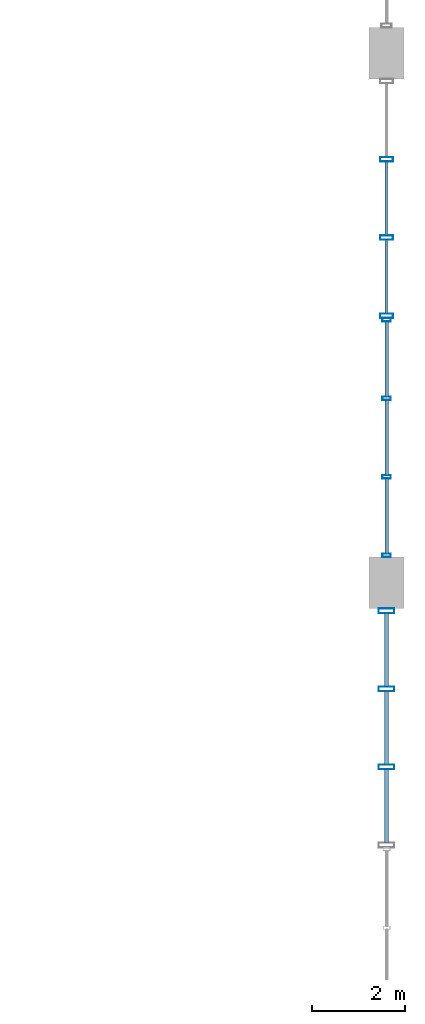
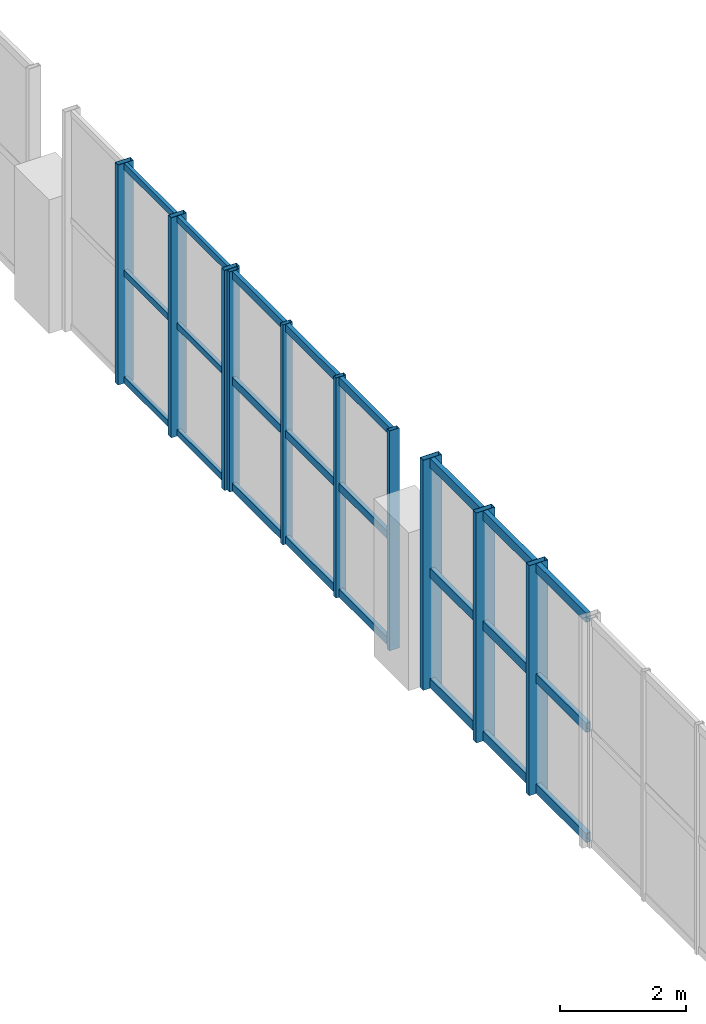
# One storey, part 46 of 80: 34 members, 3 elements without a shape of their own.
"""IFC4 building model written with IfcOpenShell, lengths in metres."""

from ifc_helpers import new_model, si_unit, direction, frame, origin, origin_2d, place, context, subcontext, project, spatial, hollow_rectangle, extrude, material, layer, layer_set, material_profile, profile_set, type_object, element, aggregate, save


model = new_model("IFC4")

# Units and contexts
model_context = context("Model", 3, precision=1e-05, world=origin(), true_north=direction((0.0, 1.0)))
body_context = subcontext(model_context, "Body", "Model", "MODEL_VIEW")
ifc_project = project(units=[si_unit("LENGTHUNIT", "METRE"), si_unit("AREAUNIT", "SQUARE_METRE"), si_unit("VOLUMEUNIT", "CUBIC_METRE"), si_unit("PLANEANGLEUNIT", "RADIAN"), si_unit("MASSUNIT", "GRAM", prefix="KILO"), si_unit("POWERUNIT", "WATT"), si_unit("THERMODYNAMICTEMPERATUREUNIT", "KELVIN")], contexts=[model_context])

# Site, building, storey
site_placement = place(None, origin())
site = spatial("IfcSite", under=ifc_project, at=site_placement, CompositionType="ELEMENT")
building_placement = place(site_placement, origin())
building = spatial("IfcBuilding", under=site, at=building_placement, Name="Kelmbourne Parkland Aquatics Centre", CompositionType="ELEMENT")
storey_placement = place(building_placement, frame((0.0, 0.0, 10.199951171875)))
storey = spatial("IfcBuildingStorey", under=building, at=storey_placement, Name="L02", CompositionType="ELEMENT", Elevation=10.199951171875)

# Curtain wall, members
ifc_material = material(Name="Thermally broken anodised aluminium framing", Category="aluminium")
ifc_layer_1 = layer(ifc_material, 0.179931640625)
ifc_layer_set_1 = layer_set([ifc_layer_1], Name="Thermally broken anodised aluminium framing")
curtain_wall_type_1 = type_object("IfcCurtainWallType", Name="CW-22", PredefinedType="NOTDEFINED", material=ifc_layer_set_1)
curtain_wall_1_placement = place(storey_placement, origin())
curtain_wall_1 = element("IfcCurtainWall", 1, at=curtain_wall_1_placement, inside=storey, type_object=curtain_wall_type_1, Name="Wave-hall clerestory curtain wall CW-L02-046", PredefinedType="NOTDEFINED")
ifc_material_profile_1 = material_profile(ifc_material, hollow_rectangle(XDim=0.074951171875, YDim=0.179931640625, WallThickness=0.00439453125, at=origin_2d()), Name="CW-M 75x180")
ifc_profile_set_1 = profile_set([ifc_material_profile_1], Name="Thermally broken anodised aluminium framing")
member_type_1 = type_object("IfcMemberType", Name="MB-MUL-2", PredefinedType="MULLION", material=ifc_profile_set_1)
member_1_placement = place(storey_placement, frame((175.199951171875, 46.989501953125, 0.0), z_axis=(0.0, 0.0, 1.0), x_axis=(0.0, 1.0, 0.0)))
member_1 = element("IfcMember", 2, at=member_1_placement, type_object=member_type_1, Name="CW-L02-046 mullion 0", PredefinedType="MULLION", context=body_context, shape_type="SweptSolid", body=[
    extrude(hollow_rectangle(XDim=0.074951171875, YDim=0.179931640625, WallThickness=0.00439453125, at=origin_2d()), origin(), (0.0, 0.0, 1.0), 4.258544921875),
])
member_2_placement = place(storey_placement, frame((175.199951171875, 48.680419921875, 0.0), z_axis=(0.0, 0.0, 1.0), x_axis=(0.0, 1.0, 0.0)))
member_2 = element("IfcMember", 3, at=member_2_placement, type_object=member_type_1, Name="CW-L02-046 mullion 1", PredefinedType="MULLION", context=body_context, shape_type="SweptSolid", body=[
    extrude(hollow_rectangle(XDim=0.074951171875, YDim=0.179931640625, WallThickness=0.00439453125, at=origin_2d()), origin(), (0.0, 0.0, 1.0), 4.258544921875),
])
member_3_placement = place(storey_placement, frame((175.199951171875, 50.37158203125, 0.0), z_axis=(0.0, 0.0, 1.0), x_axis=(0.0, 1.0, 0.0)))
member_3 = element("IfcMember", 4, at=member_3_placement, type_object=member_type_1, Name="CW-L02-046 mullion 2", PredefinedType="MULLION", context=body_context, shape_type="SweptSolid", body=[
    extrude(hollow_rectangle(XDim=0.074951171875, YDim=0.179931640625, WallThickness=0.00439453125, at=origin_2d()), origin(), (0.0, 0.0, 1.0), 4.258544921875),
])
member_4_placement = place(storey_placement, frame((175.199951171875, 52.0625, 0.0), z_axis=(0.0, 0.0, 1.0), x_axis=(0.0, 1.0, 0.0)))
member_4 = element("IfcMember", 5, at=member_4_placement, type_object=member_type_1, Name="CW-L02-046 mullion 3", PredefinedType="MULLION", context=body_context, shape_type="SweptSolid", body=[
    extrude(hollow_rectangle(XDim=0.074951171875, YDim=0.179931640625, WallThickness=0.00439453125, at=origin_2d()), origin(), (0.0, 0.0, 1.0), 4.258544921875),
])

ifc_layer_2 = layer(ifc_material, 0.179931640625)
ifc_layer_set_2 = layer_set([ifc_layer_2], Name="Thermally broken anodised aluminium framing")
curtain_wall_type_2 = type_object("IfcCurtainWallType", Name="CW-24", PredefinedType="NOTDEFINED", material=ifc_layer_set_2)
curtain_wall_2_placement = place(storey_placement, origin())
curtain_wall_2 = element("IfcCurtainWall", 6, at=curtain_wall_2_placement, inside=storey, type_object=curtain_wall_type_2, Name="Wave-hall clerestory curtain wall CW-L02-048", PredefinedType="NOTDEFINED")
ifc_material_profile_2 = material_profile(ifc_material, hollow_rectangle(XDim=0.094970703125, YDim=0.280029296875, WallThickness=0.005615234375, at=origin_2d()), Name="CW-M 95x280")
ifc_profile_set_2 = profile_set([ifc_material_profile_2], Name="Thermally broken anodised aluminium framing")
member_type_2 = type_object("IfcMemberType", Name="MB-MUL-4", PredefinedType="MULLION", material=ifc_profile_set_2)
member_5_placement = place(storey_placement, frame((175.199951171875, 52.1474609375, 0.0), z_axis=(0.0, 0.0, 1.0), x_axis=(0.0, 1.0, 0.0)))
member_5 = element("IfcMember", 7, at=member_5_placement, type_object=member_type_2, Name="CW-L02-048 mullion 0", PredefinedType="MULLION", context=body_context, shape_type="SweptSolid", body=[
    extrude(hollow_rectangle(XDim=0.094970703125, YDim=0.280029296875, WallThickness=0.005615234375, at=origin_2d()), origin(), (0.0, 0.0, 1.0), 4.258544921875),
])
member_6_placement = place(storey_placement, frame((175.199951171875, 53.831787109375, 0.0), z_axis=(0.0, 0.0, 1.0), x_axis=(0.0, 1.0, 0.0)))
member_6 = element("IfcMember", 8, at=member_6_placement, type_object=member_type_2, Name="CW-L02-048 mullion 1", PredefinedType="MULLION", context=body_context, shape_type="SweptSolid", body=[
    extrude(hollow_rectangle(XDim=0.094970703125, YDim=0.280029296875, WallThickness=0.005615234375, at=origin_2d()), origin(), (0.0, 0.0, 1.0), 4.258544921875),
])
member_7_placement = place(storey_placement, frame((175.199951171875, 55.51611328125, 0.0), z_axis=(0.0, 0.0, 1.0), x_axis=(0.0, 1.0, 0.0)))
member_7 = element("IfcMember", 9, at=member_7_placement, type_object=member_type_2, Name="CW-L02-048 mullion 2", PredefinedType="MULLION", context=body_context, shape_type="SweptSolid", body=[
    extrude(hollow_rectangle(XDim=0.094970703125, YDim=0.280029296875, WallThickness=0.005615234375, at=origin_2d()), origin(), (0.0, 0.0, 1.0), 4.258544921875),
])

ifc_layer_3 = layer(ifc_material, 0.179931640625)
ifc_layer_set_3 = layer_set([ifc_layer_3], Name="Thermally broken anodised aluminium framing")
curtain_wall_type_3 = type_object("IfcCurtainWallType", Name="CW-20", PredefinedType="NOTDEFINED", material=ifc_layer_set_3)
curtain_wall_3_placement = place(storey_placement, origin())
curtain_wall_3 = element("IfcCurtainWall", 10, at=curtain_wall_3_placement, inside=storey, type_object=curtain_wall_type_3, Name="Wave-hall clerestory curtain wall CW-L02-044", PredefinedType="NOTDEFINED")
ifc_material_profile_3 = material_profile(ifc_material, hollow_rectangle(XDim=0.10498046875, YDim=0.340087890625, WallThickness=0.006103515625, at=origin_2d()), Name="CW-M 105x340")
ifc_profile_set_3 = profile_set([ifc_material_profile_3], Name="Thermally broken anodised aluminium framing")
member_type_3 = type_object("IfcMemberType", Name="MB-MUL-5", PredefinedType="MULLION", material=ifc_profile_set_3)
member_8_placement = place(storey_placement, frame((175.199951171875, 42.43359375, 0.0), z_axis=(0.0, 0.0, 1.0), x_axis=(0.0, 1.0, 0.0)))
member_8 = element("IfcMember", 11, at=member_8_placement, type_object=member_type_3, Name="CW-L02-044 mullion 1", PredefinedType="MULLION", context=body_context, shape_type="SweptSolid", body=[
    extrude(hollow_rectangle(XDim=0.10498046875, YDim=0.340087890625, WallThickness=0.006103515625, at=origin_2d()), origin(), (0.0, 0.0, 1.0), 4.449951171875),
])
member_9_placement = place(storey_placement, frame((175.199951171875, 44.114501953125, 0.0), z_axis=(0.0, 0.0, 1.0), x_axis=(0.0, 1.0, 0.0)))
member_9 = element("IfcMember", 12, at=member_9_placement, type_object=member_type_3, Name="CW-L02-044 mullion 2", PredefinedType="MULLION", context=body_context, shape_type="SweptSolid", body=[
    extrude(hollow_rectangle(XDim=0.10498046875, YDim=0.340087890625, WallThickness=0.006103515625, at=origin_2d()), origin(), (0.0, 0.0, 1.0), 4.449951171875),
])
member_10_placement = place(storey_placement, frame((175.199951171875, 45.79541015625, 0.0), z_axis=(0.0, 0.0, 1.0), x_axis=(0.0, 1.0, 0.0)))
member_10 = element("IfcMember", 13, at=member_10_placement, type_object=member_type_3, Name="CW-L02-044 mullion 3", PredefinedType="MULLION", context=body_context, shape_type="SweptSolid", body=[
    extrude(hollow_rectangle(XDim=0.10498046875, YDim=0.340087890625, WallThickness=0.006103515625, at=origin_2d()), origin(), (0.0, 0.0, 1.0), 4.449951171875),
])

# Member
ifc_material_profile_4 = material_profile(ifc_material, hollow_rectangle(XDim=0.06494140625, YDim=0.1201171875, WallThickness=0.00341796875, at=origin_2d()), Name="CW-T 65x120")
ifc_profile_set_4 = profile_set([ifc_material_profile_4], Name="Thermally broken anodised aluminium framing")
member_type_4 = type_object("IfcMemberType", Name="MB-TRN-1", PredefinedType="USERDEFINED", material=ifc_profile_set_4)
member_11_placement = place(storey_placement, frame((175.199951171875, 52.19091796875, 0.06298828125), z_axis=(0.0, 1.0, 0.0), x_axis=(-1.0, 0.0, 0.0)))
member_11 = element("IfcMember", 14, at=member_11_placement, type_object=member_type_4, Name="CW-L02-048 transom 0-0", ObjectType="TRANSOM", PredefinedType="USERDEFINED", context=body_context, shape_type="SweptSolid", body=[
    extrude(hollow_rectangle(XDim=0.06494140625, YDim=0.1201171875, WallThickness=0.00341796875, at=origin_2d()), origin(), (0.0, 0.0, 1.0), 1.597412109375),
])

member_12_placement = place(storey_placement, frame((175.199951171875, 53.875244140625, 0.06298828125), z_axis=(0.0, 1.0, 0.0), x_axis=(-1.0, 0.0, 0.0)))
member_12 = element("IfcMember", 15, at=member_12_placement, type_object=member_type_4, Name="CW-L02-048 transom 0-1", ObjectType="TRANSOM", PredefinedType="USERDEFINED", context=body_context, shape_type="SweptSolid", body=[
    extrude(hollow_rectangle(XDim=0.06494140625, YDim=0.1201171875, WallThickness=0.00341796875, at=origin_2d()), origin(), (0.0, 0.0, 1.0), 1.597412109375),
])

member_13_placement = place(storey_placement, frame((175.199951171875, 52.19091796875, 2.129150390625), z_axis=(0.0, 1.0, 0.0), x_axis=(-1.0, 0.0, 0.0)))
member_13 = element("IfcMember", 16, at=member_13_placement, type_object=member_type_4, Name="CW-L02-048 transom 1-0", ObjectType="TRANSOM", PredefinedType="USERDEFINED", context=body_context, shape_type="SweptSolid", body=[
    extrude(hollow_rectangle(XDim=0.06494140625, YDim=0.1201171875, WallThickness=0.00341796875, at=origin_2d()), origin(), (0.0, 0.0, 1.0), 1.597412109375),
])

member_14_placement = place(storey_placement, frame((175.199951171875, 53.875244140625, 2.129150390625), z_axis=(0.0, 1.0, 0.0), x_axis=(-1.0, 0.0, 0.0)))
member_14 = element("IfcMember", 17, at=member_14_placement, type_object=member_type_4, Name="CW-L02-048 transom 1-1", ObjectType="TRANSOM", PredefinedType="USERDEFINED", context=body_context, shape_type="SweptSolid", body=[
    extrude(hollow_rectangle(XDim=0.06494140625, YDim=0.1201171875, WallThickness=0.00341796875, at=origin_2d()), origin(), (0.0, 0.0, 1.0), 1.597412109375),
])

member_15_placement = place(storey_placement, frame((175.199951171875, 52.19091796875, 4.195556640625), z_axis=(0.0, 1.0, 0.0), x_axis=(-1.0, 0.0, 0.0)))
member_15 = element("IfcMember", 18, at=member_15_placement, type_object=member_type_4, Name="CW-L02-048 transom 2-0", ObjectType="TRANSOM", PredefinedType="USERDEFINED", context=body_context, shape_type="SweptSolid", body=[
    extrude(hollow_rectangle(XDim=0.06494140625, YDim=0.1201171875, WallThickness=0.00341796875, at=origin_2d()), origin(), (0.0, 0.0, 1.0), 1.597412109375),
])

member_16_placement = place(storey_placement, frame((175.199951171875, 53.875244140625, 4.195556640625), z_axis=(0.0, 1.0, 0.0), x_axis=(-1.0, 0.0, 0.0)))
member_16 = element("IfcMember", 19, at=member_16_placement, type_object=member_type_4, Name="CW-L02-048 transom 2-1", ObjectType="TRANSOM", PredefinedType="USERDEFINED", context=body_context, shape_type="SweptSolid", body=[
    extrude(hollow_rectangle(XDim=0.06494140625, YDim=0.1201171875, WallThickness=0.00341796875, at=origin_2d()), origin(), (0.0, 0.0, 1.0), 1.597412109375),
])

aggregate(curtain_wall_2, [member_5, member_6, member_7, member_11, member_12, member_13, member_14, member_15, member_16])

ifc_material_profile_5 = material_profile(ifc_material, hollow_rectangle(XDim=0.074951171875, YDim=0.14990234375, WallThickness=0.00390625, at=origin_2d()), Name="CW-T 75x150")
ifc_profile_set_5 = profile_set([ifc_material_profile_5], Name="Thermally broken anodised aluminium framing")
member_type_5 = type_object("IfcMemberType", Name="MB-TRN-2", PredefinedType="USERDEFINED", material=ifc_profile_set_5)
member_17_placement = place(storey_placement, frame((175.199951171875, 47.02294921875, 0.078125), z_axis=(0.0, 1.0, 0.0), x_axis=(-1.0, 0.0, 0.0)))
member_17 = element("IfcMember", 20, at=member_17_placement, type_object=member_type_5, Name="CW-L02-046 transom 0-0", ObjectType="TRANSOM", PredefinedType="USERDEFINED", context=body_context, shape_type="SweptSolid", body=[
    extrude(hollow_rectangle(XDim=0.074951171875, YDim=0.14990234375, WallThickness=0.00390625, at=origin_2d()), origin(), (0.0, 0.0, 1.0), 1.6240234375),
])

member_18_placement = place(storey_placement, frame((175.199951171875, 48.714111328125, 0.078125), z_axis=(0.0, 1.0, 0.0), x_axis=(-1.0, 0.0, 0.0)))
member_18 = element("IfcMember", 21, at=member_18_placement, type_object=member_type_5, Name="CW-L02-046 transom 0-1", ObjectType="TRANSOM", PredefinedType="USERDEFINED", context=body_context, shape_type="SweptSolid", body=[
    extrude(hollow_rectangle(XDim=0.074951171875, YDim=0.14990234375, WallThickness=0.00390625, at=origin_2d()), origin(), (0.0, 0.0, 1.0), 1.623779296875),
])

member_19_placement = place(storey_placement, frame((175.199951171875, 50.405029296875, 0.078125), z_axis=(0.0, 1.0, 0.0), x_axis=(-1.0, 0.0, 0.0)))
member_19 = element("IfcMember", 22, at=member_19_placement, type_object=member_type_5, Name="CW-L02-046 transom 0-2", ObjectType="TRANSOM", PredefinedType="USERDEFINED", context=body_context, shape_type="SweptSolid", body=[
    extrude(hollow_rectangle(XDim=0.074951171875, YDim=0.14990234375, WallThickness=0.00390625, at=origin_2d()), origin(), (0.0, 0.0, 1.0), 1.6240234375),
])

member_20_placement = place(storey_placement, frame((175.199951171875, 47.02294921875, 2.129150390625), z_axis=(0.0, 1.0, 0.0), x_axis=(-1.0, 0.0, 0.0)))
member_20 = element("IfcMember", 23, at=member_20_placement, type_object=member_type_5, Name="CW-L02-046 transom 1-0", ObjectType="TRANSOM", PredefinedType="USERDEFINED", context=body_context, shape_type="SweptSolid", body=[
    extrude(hollow_rectangle(XDim=0.074951171875, YDim=0.14990234375, WallThickness=0.00390625, at=origin_2d()), origin(), (0.0, 0.0, 1.0), 1.6240234375),
])

member_21_placement = place(storey_placement, frame((175.199951171875, 48.714111328125, 2.129150390625), z_axis=(0.0, 1.0, 0.0), x_axis=(-1.0, 0.0, 0.0)))
member_21 = element("IfcMember", 24, at=member_21_placement, type_object=member_type_5, Name="CW-L02-046 transom 1-1", ObjectType="TRANSOM", PredefinedType="USERDEFINED", context=body_context, shape_type="SweptSolid", body=[
    extrude(hollow_rectangle(XDim=0.074951171875, YDim=0.14990234375, WallThickness=0.00390625, at=origin_2d()), origin(), (0.0, 0.0, 1.0), 1.623779296875),
])

member_22_placement = place(storey_placement, frame((175.199951171875, 50.405029296875, 2.129150390625), z_axis=(0.0, 1.0, 0.0), x_axis=(-1.0, 0.0, 0.0)))
member_22 = element("IfcMember", 25, at=member_22_placement, type_object=member_type_5, Name="CW-L02-046 transom 1-2", ObjectType="TRANSOM", PredefinedType="USERDEFINED", context=body_context, shape_type="SweptSolid", body=[
    extrude(hollow_rectangle(XDim=0.074951171875, YDim=0.14990234375, WallThickness=0.00390625, at=origin_2d()), origin(), (0.0, 0.0, 1.0), 1.6240234375),
])

member_23_placement = place(storey_placement, frame((175.199951171875, 47.02294921875, 4.180419921875), z_axis=(0.0, 1.0, 0.0), x_axis=(-1.0, 0.0, 0.0)))
member_23 = element("IfcMember", 26, at=member_23_placement, type_object=member_type_5, Name="CW-L02-046 transom 2-0", ObjectType="TRANSOM", PredefinedType="USERDEFINED", context=body_context, shape_type="SweptSolid", body=[
    extrude(hollow_rectangle(XDim=0.074951171875, YDim=0.14990234375, WallThickness=0.00390625, at=origin_2d()), origin(), (0.0, 0.0, 1.0), 1.6240234375),
])

member_24_placement = place(storey_placement, frame((175.199951171875, 48.714111328125, 4.180419921875), z_axis=(0.0, 1.0, 0.0), x_axis=(-1.0, 0.0, 0.0)))
member_24 = element("IfcMember", 27, at=member_24_placement, type_object=member_type_5, Name="CW-L02-046 transom 2-1", ObjectType="TRANSOM", PredefinedType="USERDEFINED", context=body_context, shape_type="SweptSolid", body=[
    extrude(hollow_rectangle(XDim=0.074951171875, YDim=0.14990234375, WallThickness=0.00390625, at=origin_2d()), origin(), (0.0, 0.0, 1.0), 1.623779296875),
])

member_25_placement = place(storey_placement, frame((175.199951171875, 50.405029296875, 4.180419921875), z_axis=(0.0, 1.0, 0.0), x_axis=(-1.0, 0.0, 0.0)))
member_25 = element("IfcMember", 28, at=member_25_placement, type_object=member_type_5, Name="CW-L02-046 transom 2-2", ObjectType="TRANSOM", PredefinedType="USERDEFINED", context=body_context, shape_type="SweptSolid", body=[
    extrude(hollow_rectangle(XDim=0.074951171875, YDim=0.14990234375, WallThickness=0.00390625, at=origin_2d()), origin(), (0.0, 0.0, 1.0), 1.6240234375),
])

aggregate(curtain_wall_1, [member_1, member_2, member_3, member_4, member_17, member_18, member_19, member_20, member_21, member_22, member_23, member_24, member_25])

ifc_material_profile_6 = material_profile(ifc_material, hollow_rectangle(XDim=0.0849609375, YDim=0.179931640625, WallThickness=0.00439453125, at=origin_2d()), Name="CW-T 85x180")
ifc_profile_set_6 = profile_set([ifc_material_profile_6], Name="Thermally broken anodised aluminium framing")
member_type_6 = type_object("IfcMemberType", Name="MB-TRN-3", PredefinedType="USERDEFINED", material=ifc_profile_set_6)
member_26_placement = place(storey_placement, frame((175.199951171875, 40.801025390625, 0.093017578125), z_axis=(0.0, 1.0, 0.0), x_axis=(-1.0, 0.0, 0.0)))
member_26 = element("IfcMember", 29, at=member_26_placement, type_object=member_type_6, Name="CW-L02-044 transom 0-0", ObjectType="TRANSOM", PredefinedType="USERDEFINED", context=body_context, shape_type="SweptSolid", body=[
    extrude(hollow_rectangle(XDim=0.0849609375, YDim=0.179931640625, WallThickness=0.00439453125, at=origin_2d()), origin(), (0.0, 0.0, 1.0), 1.583984375),
])

member_27_placement = place(storey_placement, frame((175.199951171875, 42.48193359375, 0.093017578125), z_axis=(0.0, 1.0, 0.0), x_axis=(-1.0, 0.0, 0.0)))
member_27 = element("IfcMember", 30, at=member_27_placement, type_object=member_type_6, Name="CW-L02-044 transom 0-1", ObjectType="TRANSOM", PredefinedType="USERDEFINED", context=body_context, shape_type="SweptSolid", body=[
    extrude(hollow_rectangle(XDim=0.0849609375, YDim=0.179931640625, WallThickness=0.00439453125, at=origin_2d()), origin(), (0.0, 0.0, 1.0), 1.583984375),
])

member_28_placement = place(storey_placement, frame((175.199951171875, 44.1630859375, 0.093017578125), z_axis=(0.0, 1.0, 0.0), x_axis=(-1.0, 0.0, 0.0)))
member_28 = element("IfcMember", 31, at=member_28_placement, type_object=member_type_6, Name="CW-L02-044 transom 0-2", ObjectType="TRANSOM", PredefinedType="USERDEFINED", context=body_context, shape_type="SweptSolid", body=[
    extrude(hollow_rectangle(XDim=0.0849609375, YDim=0.179931640625, WallThickness=0.00439453125, at=origin_2d()), origin(), (0.0, 0.0, 1.0), 1.583984375),
])

member_29_placement = place(storey_placement, frame((175.199951171875, 40.801025390625, 2.22509765625), z_axis=(0.0, 1.0, 0.0), x_axis=(-1.0, 0.0, 0.0)))
member_29 = element("IfcMember", 32, at=member_29_placement, type_object=member_type_6, Name="CW-L02-044 transom 1-0", ObjectType="TRANSOM", PredefinedType="USERDEFINED", context=body_context, shape_type="SweptSolid", body=[
    extrude(hollow_rectangle(XDim=0.0849609375, YDim=0.179931640625, WallThickness=0.00439453125, at=origin_2d()), origin(), (0.0, 0.0, 1.0), 1.583984375),
])

member_30_placement = place(storey_placement, frame((175.199951171875, 42.48193359375, 2.22509765625), z_axis=(0.0, 1.0, 0.0), x_axis=(-1.0, 0.0, 0.0)))
member_30 = element("IfcMember", 33, at=member_30_placement, type_object=member_type_6, Name="CW-L02-044 transom 1-1", ObjectType="TRANSOM", PredefinedType="USERDEFINED", context=body_context, shape_type="SweptSolid", body=[
    extrude(hollow_rectangle(XDim=0.0849609375, YDim=0.179931640625, WallThickness=0.00439453125, at=origin_2d()), origin(), (0.0, 0.0, 1.0), 1.583984375),
])

member_31_placement = place(storey_placement, frame((175.199951171875, 44.1630859375, 2.22509765625), z_axis=(0.0, 1.0, 0.0), x_axis=(-1.0, 0.0, 0.0)))
member_31 = element("IfcMember", 34, at=member_31_placement, type_object=member_type_6, Name="CW-L02-044 transom 1-2", ObjectType="TRANSOM", PredefinedType="USERDEFINED", context=body_context, shape_type="SweptSolid", body=[
    extrude(hollow_rectangle(XDim=0.0849609375, YDim=0.179931640625, WallThickness=0.00439453125, at=origin_2d()), origin(), (0.0, 0.0, 1.0), 1.583984375),
])

member_32_placement = place(storey_placement, frame((175.199951171875, 40.801025390625, 4.35693359375), z_axis=(0.0, 1.0, 0.0), x_axis=(-1.0, 0.0, 0.0)))
member_32 = element("IfcMember", 35, at=member_32_placement, type_object=member_type_6, Name="CW-L02-044 transom 2-0", ObjectType="TRANSOM", PredefinedType="USERDEFINED", context=body_context, shape_type="SweptSolid", body=[
    extrude(hollow_rectangle(XDim=0.0849609375, YDim=0.179931640625, WallThickness=0.00439453125, at=origin_2d()), origin(), (0.0, 0.0, 1.0), 1.583984375),
])

member_33_placement = place(storey_placement, frame((175.199951171875, 42.48193359375, 4.35693359375), z_axis=(0.0, 1.0, 0.0), x_axis=(-1.0, 0.0, 0.0)))
member_33 = element("IfcMember", 36, at=member_33_placement, type_object=member_type_6, Name="CW-L02-044 transom 2-1", ObjectType="TRANSOM", PredefinedType="USERDEFINED", context=body_context, shape_type="SweptSolid", body=[
    extrude(hollow_rectangle(XDim=0.0849609375, YDim=0.179931640625, WallThickness=0.00439453125, at=origin_2d()), origin(), (0.0, 0.0, 1.0), 1.583984375),
])

member_34_placement = place(storey_placement, frame((175.199951171875, 44.1630859375, 4.35693359375), z_axis=(0.0, 1.0, 0.0), x_axis=(-1.0, 0.0, 0.0)))
member_34 = element("IfcMember", 37, at=member_34_placement, type_object=member_type_6, Name="CW-L02-044 transom 2-2", ObjectType="TRANSOM", PredefinedType="USERDEFINED", context=body_context, shape_type="SweptSolid", body=[
    extrude(hollow_rectangle(XDim=0.0849609375, YDim=0.179931640625, WallThickness=0.00439453125, at=origin_2d()), origin(), (0.0, 0.0, 1.0), 1.583984375),
])

aggregate(curtain_wall_3, [member_8, member_9, member_10, member_26, member_27, member_28, member_29, member_30, member_31, member_32, member_33, member_34])

save(model, "model.ifc")
